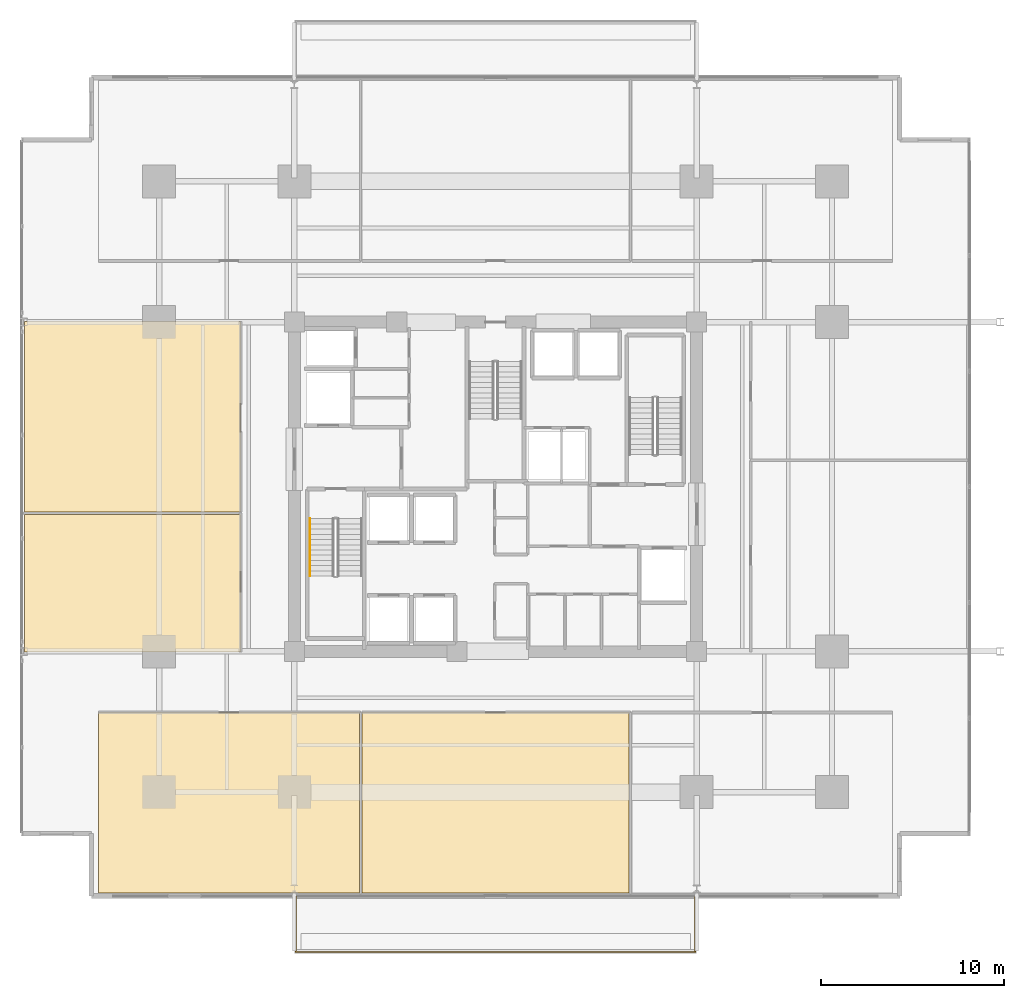
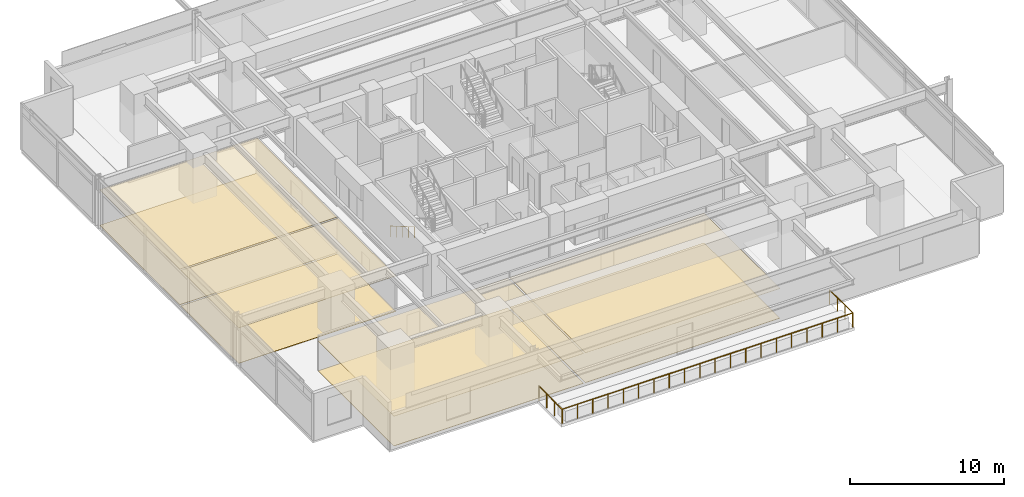
# One storey, part 19 of 23: 8 coverings, 2 railings.
"""IFC4 building model written with IfcOpenShell, lengths in metres."""

from ifc_helpers import new_model, si_unit, direction, frame, origin, origin_2d, place, context, subcontext, project, spatial, polyline, circle, outline, extrude, material, layer, layer_set, type_object, element, save


model = new_model("IFC4")

# Units and contexts
model_context = context("Model", 3, precision=1e-05, world=origin(), true_north=direction((0.0, 1.0)))
body_context = subcontext(model_context, "Body", "Model", "MODEL_VIEW")
ifc_project = project(units=[si_unit("LENGTHUNIT", "METRE"), si_unit("AREAUNIT", "SQUARE_METRE"), si_unit("VOLUMEUNIT", "CUBIC_METRE"), si_unit("PLANEANGLEUNIT", "RADIAN"), si_unit("MASSUNIT", "GRAM", prefix="KILO")], contexts=[model_context])

# Site, building, storey
site_placement = place(None, origin())
site = spatial("IfcSite", under=ifc_project, at=site_placement, CompositionType="ELEMENT")
building_placement = place(site_placement, origin())
building = spatial("IfcBuilding", under=site, at=building_placement, Name="Kovane Verandah Tower", CompositionType="ELEMENT")
storey_placement = place(building_placement, frame((0.0, 0.0, 63.60009765625)))
storey = spatial("IfcBuildingStorey", under=building, at=storey_placement, Name="L14", CompositionType="ELEMENT", Elevation=63.60009765625)

# Coverings
ifc_material_1 = material(Name="Perforated Acoustic Mineral-Fibre Ceiling Tile", Category="gypsum")
ifc_layer_1 = layer(ifc_material_1, 0.02490234375)
ifc_layer_set_1 = layer_set([ifc_layer_1], Name="Perforated Acoustic Mineral-Fibre Ceiling Tile")
covering_type_1 = type_object("IfcCoveringType", Name="CV-CEIL-25", PredefinedType="CEILING", material=ifc_layer_set_1)
covering_1_placement = place(storey_placement, frame((0.0, 0.0, 2.364990234375)))
element("IfcCovering", 1, at=covering_1_placement, inside=storey, type_object=covering_type_1, Name="L14 Collaboration Hub S1 Acoustic Ceiling", PredefinedType="CEILING", context=body_context, shape_type="SweptSolid", body=[
    extrude(outline(polyline([(18.29296875, 5.27490234375), (32.549560546875, 5.27490234375), (32.549560546875, 15.14990234375), (18.29296875, 15.14990234375), (18.29296875, 5.27490234375)])), origin(), (0.0, 0.0, 1.0), 0.02490234375),
])
covering_2_placement = place(storey_placement, frame((0.0, 0.0, 2.364990234375)))
element("IfcCovering", 2, at=covering_2_placement, inside=storey, type_object=covering_type_1, Name="L14 Document and Print Room S2 Acoustic Ceiling", PredefinedType="CEILING", context=body_context, shape_type="SweptSolid", body=[
    extrude(outline(polyline([(32.689697265625, 5.27490234375), (47.310302734375, 5.27490234375), (47.310302734375, 15.14990234375), (32.689697265625, 15.14990234375), (32.689697265625, 5.27490234375)])), origin(), (0.0, 0.0, 1.0), 0.02490234375),
])
covering_3_placement = place(storey_placement, frame((0.0, 0.0, 2.824951171875)))
element("IfcCovering", 3, at=covering_3_placement, inside=storey, type_object=covering_type_1, Name="L14 Executive Office W1 Acoustic Ceiling", PredefinedType="CEILING", context=body_context, shape_type="SweptSolid", body=[
    extrude(outline(polyline([(14.242919921875, 18.449951171875), (26.050048828125, 18.449951171875), (26.050048828125, 25.98193359375), (14.242919921875, 25.98193359375), (14.242919921875, 18.449951171875)])), origin(), (0.0, 0.0, 1.0), 0.02490234375),
])
covering_4_placement = place(storey_placement, frame((0.0, 0.0, 2.824951171875)))
element("IfcCovering", 4, at=covering_4_placement, inside=storey, type_object=covering_type_1, Name="L14 Client Boardroom W2 Acoustic Ceiling", PredefinedType="CEILING", context=body_context, shape_type="SweptSolid", body=[
    extrude(outline(polyline([(14.242919921875, 26.1220703125), (26.050048828125, 26.1220703125), (26.050048828125, 36.550048828125), (14.242919921875, 36.550048828125), (14.242919921875, 26.1220703125)])), origin(), (0.0, 0.0, 1.0), 0.02490234375),
])
ifc_material_2 = material(Name="Polished Terrazzo and Raised-Access Carpet Tile Finish", Category="concrete")
ifc_layer_2 = layer(ifc_material_2, 0.030029296875)
ifc_layer_set_2 = layer_set([ifc_layer_2], Name="Polished Terrazzo and Raised-Access Carpet Tile Finish")
covering_type_2 = type_object("IfcCoveringType", Name="CV-FLOR-30", PredefinedType="FLOORING", material=ifc_layer_set_2)
covering_5_placement = place(storey_placement, origin())
element("IfcCovering", 5, at=covering_5_placement, inside=storey, type_object=covering_type_2, Name="L14 Collaboration Hub S1 Floor Finish", PredefinedType="FLOORING", context=body_context, shape_type="SweptSolid", body=[
    extrude(outline(polyline([(18.29296875, 5.27490234375), (32.549560546875, 5.27490234375), (32.549560546875, 15.14990234375), (18.29296875, 15.14990234375), (18.29296875, 5.27490234375)])), origin(), (0.0, 0.0, 1.0), 0.02978515625),
])
covering_6_placement = place(storey_placement, origin())
element("IfcCovering", 6, at=covering_6_placement, inside=storey, type_object=covering_type_2, Name="L14 Document and Print Room S2 Floor Finish", PredefinedType="FLOORING", context=body_context, shape_type="SweptSolid", body=[
    extrude(outline(polyline([(32.689697265625, 5.27490234375), (47.310302734375, 5.27490234375), (47.310302734375, 15.14990234375), (32.689697265625, 15.14990234375), (32.689697265625, 5.27490234375)])), origin(), (0.0, 0.0, 1.0), 0.02978515625),
])
covering_7_placement = place(storey_placement, origin())
element("IfcCovering", 7, at=covering_7_placement, inside=storey, type_object=covering_type_2, Name="L14 Executive Office W1 Floor Finish", PredefinedType="FLOORING", context=body_context, shape_type="SweptSolid", body=[
    extrude(outline(polyline([(14.242919921875, 18.449951171875), (26.050048828125, 18.449951171875), (26.050048828125, 25.98193359375), (14.242919921875, 25.98193359375), (14.242919921875, 18.449951171875)])), origin(), (0.0, 0.0, 1.0), 0.02978515625),
])
covering_8_placement = place(storey_placement, origin())
element("IfcCovering", 8, at=covering_8_placement, inside=storey, type_object=covering_type_2, Name="L14 Client Boardroom W2 Floor Finish", PredefinedType="FLOORING", context=body_context, shape_type="SweptSolid", body=[
    extrude(outline(polyline([(14.242919921875, 26.1220703125), (26.050048828125, 26.1220703125), (26.050048828125, 36.550048828125), (14.242919921875, 36.550048828125), (14.242919921875, 26.1220703125)])), origin(), (0.0, 0.0, 1.0), 0.02978515625),
])

# Railings
ifc_material_3 = material(Name="Laminated Glass and Pale-Champagne Stainless Balustrade", Category="glass")
railing_type_1 = type_object("IfcRailingType", Name="RL-BAL-1150", PredefinedType="BALUSTRADE", material=ifc_material_3)
railing_1_placement = place(storey_placement, frame((29.080078125, 5.074951171875, 0.0)))
element("IfcRailing", 9, at=railing_1_placement, inside=storey, type_object=railing_type_1, Name="L14 S Verandah Glass Balustrade", PredefinedType="BALUSTRADE", context=body_context, shape_type="SweptSolid", body=[
    extrude(circle(Radius=0.02392578125, at=origin_2d()), frame((0.0, 0.0, 1.1259765625), z_axis=(0.0, -1.0, 0.0), x_axis=(1.0, 0.0, 0.0)), (0.0, 0.0, 1.0), 3.02001953125),
    extrude(circle(Radius=0.02392578125, at=origin_2d()), frame((0.0, -3.02001953125, 1.1259765625), z_axis=(1.0, 0.0, 0.0), x_axis=(0.0, 1.0, 0.0)), (0.0, 0.0, 1.0), 21.83984375),
    extrude(circle(Radius=0.02392578125, at=origin_2d()), frame((21.83984375, -3.02001953125, 1.1259765625), z_axis=(0.0, 1.0, 0.0), x_axis=(-1.0, 0.0, 0.0)), (0.0, 0.0, 1.0), 3.02001953125),
    extrude(circle(Radius=0.02099609375, at=origin_2d()), origin(), (0.0, 0.0, 1.0), 1.101806640625),
    extrude(circle(Radius=0.02099609375, at=origin_2d()), frame((0.0, -1.006591796875, 0.0)), (0.0, 0.0, 1.0), 1.101806640625),
    extrude(circle(Radius=0.02099609375, at=origin_2d()), frame((0.0, -2.013427734375, 0.0)), (0.0, 0.0, 1.0), 1.101806640625),
    extrude(circle(Radius=0.02099609375, at=origin_2d()), frame((0.0, -3.02001953125, 0.0)), (0.0, 0.0, 1.0), 1.101806640625),
    extrude(circle(Radius=0.02099609375, at=origin_2d()), frame((1.1494140625, -3.02001953125, 0.0)), (0.0, 0.0, 1.0), 1.101806640625),
    extrude(circle(Radius=0.02099609375, at=origin_2d()), frame((2.298828125, -3.02001953125, 0.0)), (0.0, 0.0, 1.0), 1.101806640625),
    extrude(circle(Radius=0.02099609375, at=origin_2d()), frame((3.448486328125, -3.02001953125, 0.0)), (0.0, 0.0, 1.0), 1.101806640625),
    extrude(circle(Radius=0.02099609375, at=origin_2d()), frame((4.597900390625, -3.02001953125, 0.0)), (0.0, 0.0, 1.0), 1.101806640625),
    extrude(circle(Radius=0.02099609375, at=origin_2d()), frame((5.747314453125, -3.02001953125, 0.0)), (0.0, 0.0, 1.0), 1.101806640625),
    extrude(circle(Radius=0.02099609375, at=origin_2d()), frame((6.896728515625, -3.02001953125, 0.0)), (0.0, 0.0, 1.0), 1.101806640625),
    extrude(circle(Radius=0.02099609375, at=origin_2d()), frame((8.046142578125, -3.02001953125, 0.0)), (0.0, 0.0, 1.0), 1.101806640625),
    extrude(circle(Radius=0.02099609375, at=origin_2d()), frame((9.19580078125, -3.02001953125, 0.0)), (0.0, 0.0, 1.0), 1.101806640625),
    extrude(circle(Radius=0.02099609375, at=origin_2d()), frame((10.34521484375, -3.02001953125, 0.0)), (0.0, 0.0, 1.0), 1.101806640625),
    extrude(circle(Radius=0.02099609375, at=origin_2d()), frame((11.49462890625, -3.02001953125, 0.0)), (0.0, 0.0, 1.0), 1.101806640625),
    extrude(circle(Radius=0.02099609375, at=origin_2d()), frame((12.64404296875, -3.02001953125, 0.0)), (0.0, 0.0, 1.0), 1.101806640625),
    extrude(circle(Radius=0.02099609375, at=origin_2d()), frame((13.793701171875, -3.02001953125, 0.0)), (0.0, 0.0, 1.0), 1.101806640625),
    extrude(circle(Radius=0.02099609375, at=origin_2d()), frame((14.943115234375, -3.02001953125, 0.0)), (0.0, 0.0, 1.0), 1.101806640625),
    extrude(circle(Radius=0.02099609375, at=origin_2d()), frame((16.092529296875, -3.02001953125, 0.0)), (0.0, 0.0, 1.0), 1.101806640625),
    extrude(circle(Radius=0.02099609375, at=origin_2d()), frame((17.241943359375, -3.02001953125, 0.0)), (0.0, 0.0, 1.0), 1.101806640625),
    extrude(circle(Radius=0.02099609375, at=origin_2d()), frame((18.391357421875, -3.02001953125, 0.0)), (0.0, 0.0, 1.0), 1.101806640625),
    extrude(circle(Radius=0.02099609375, at=origin_2d()), frame((19.541015625, -3.02001953125, 0.0)), (0.0, 0.0, 1.0), 1.101806640625),
    extrude(circle(Radius=0.02099609375, at=origin_2d()), frame((20.6904296875, -3.02001953125, 0.0)), (0.0, 0.0, 1.0), 1.101806640625),
    extrude(circle(Radius=0.02099609375, at=origin_2d()), frame((21.83984375, -3.02001953125, 0.0)), (0.0, 0.0, 1.0), 1.101806640625),
    extrude(circle(Radius=0.02099609375, at=origin_2d()), frame((21.83984375, -2.013427734375, 0.0)), (0.0, 0.0, 1.0), 1.101806640625),
    extrude(circle(Radius=0.02099609375, at=origin_2d()), frame((21.83984375, -1.006591796875, 0.0)), (0.0, 0.0, 1.0), 1.101806640625),
    extrude(circle(Radius=0.02099609375, at=origin_2d()), frame((21.83984375, 0.0, 0.0)), (0.0, 0.0, 1.0), 1.101806640625),
])
ifc_material_4 = material(Name="Brushed Stainless Steel Handrail", Category="steel")
railing_type_2 = type_object("IfcRailingType", Name="RL-HAND-920", PredefinedType="HANDRAIL", material=ifc_material_4)
railing_2_placement = place(storey_placement, frame((29.85009765625, 25.75, 0.16650390625)))
element("IfcRailing", 10, at=railing_2_placement, inside=storey, type_object=railing_type_2, Name="L14 ST-01 stair handrail 1", PredefinedType="HANDRAIL", context=body_context, shape_type="SweptSolid", body=[
    extrude(circle(Radius=0.02392578125, at=origin_2d()), frame((0.0, 0.0, 0.8759765625), z_axis=(0.0, -0.863210265497, 0.504844567704), x_axis=(1.0, 0.0, 0.0)), (0.0, 0.0, 1.0), 3.6318359375),
    extrude(circle(Radius=0.02099609375, at=origin_2d()), origin(), (0.0, 0.0, 1.0), 0.851806640625),
    extrude(circle(Radius=0.02099609375, at=origin_2d()), frame((0.0, -0.78369140625, 0.45849609375)), (0.0, 0.0, 1.0), 0.851806640625),
    extrude(circle(Radius=0.02099609375, at=origin_2d()), frame((0.0, -1.5673828125, 0.916748046875)), (0.0, 0.0, 1.0), 0.851806640625),
    extrude(circle(Radius=0.02099609375, at=origin_2d()), frame((0.0, -2.351318359375, 1.375)), (0.0, 0.0, 1.0), 0.851806640625),
    extrude(circle(Radius=0.02099609375, at=origin_2d()), frame((0.0, -3.135009765625, 1.83349609375)), (0.0, 0.0, 1.0), 0.851806640625),
])

save(model, "model.ifc")
